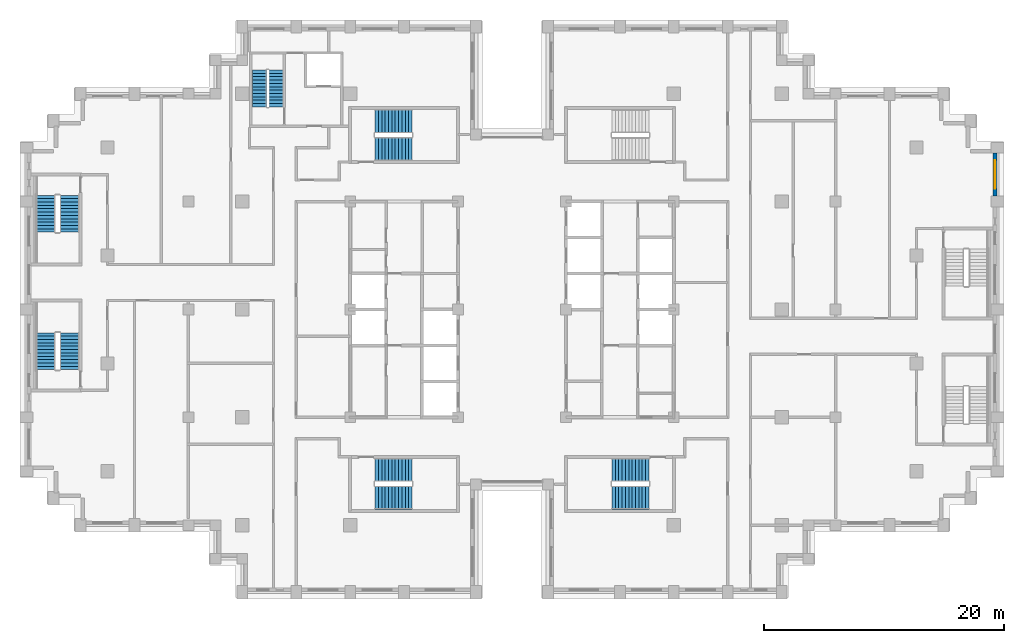
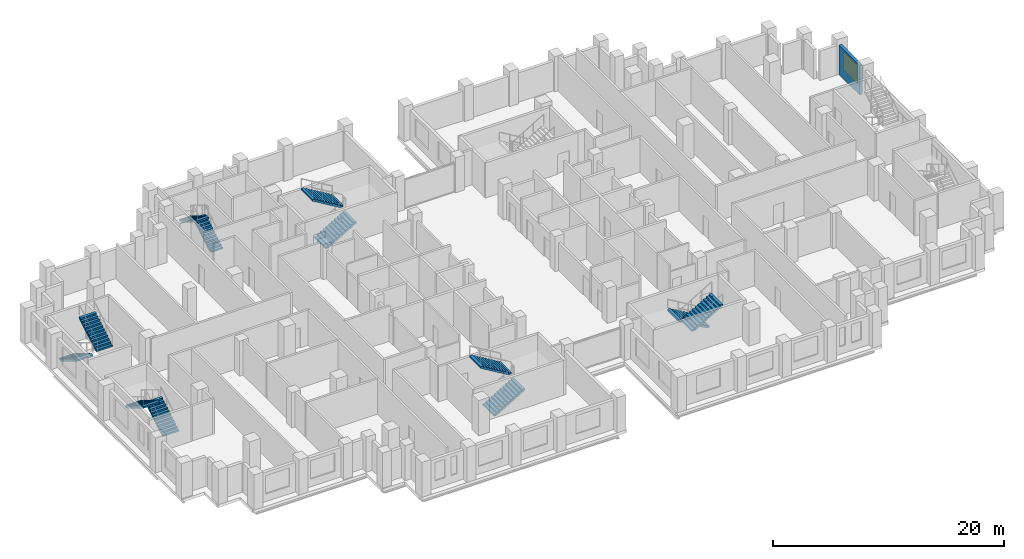
# One storey, part 13 of 16: 12 stair flights, 1 wall, 1 window, 1 opening, 6 elements without a shape of their own.
"""IFC4 building model written with IfcOpenShell, lengths in metres."""

import ifcopenshell
import ifcopenshell.guid

model = None  # the IFC model being written
_history = None  # IfcOwnerHistory: only IFC2X3 demands one
_inside = {}  # id of a spatial element -> (the spatial element, [elements in it])
_under = {}  # id of a project, library or spatial element -> (it, [spatial elements below it])
_declared = {}  # id of a project -> (the project, [libraries it declares])
_typed = {}  # id of a type object -> (the type object, [elements of that type])
_made_of = {}  # id of a material, layer set ... -> (it, [elements and type objects made of it])


def new_model(schema):
    """Start an empty IFC model of exactly this schema.

    Asked for "IFC4X3", IfcOpenShell would pick the latest addendum, in which some entities
    have other attributes; the version numbers below select the first issue.
    IFC2X3 requires an IfcOwnerHistory on every rooted entity: one is made here for all.
    """
    global model, _history
    if schema == "IFC4X3":
        model = ifcopenshell.file(schema_version=(4, 3, 0, 0))
    else:
        model = ifcopenshell.file(schema=schema)
    _inside.clear()
    _under.clear()
    _declared.clear()
    _typed.clear()
    _made_of.clear()
    _history = None
    if model.schema == "IFC2X3":
        org = make("IfcOrganization", Name="unknown")
        user = make(
            "IfcPersonAndOrganization",
            ThePerson=make("IfcPerson", FamilyName="unknown"),
            TheOrganization=org,
        )
        app = make(
            "IfcApplication",
            ApplicationDeveloper=org,
            Version="unknown",
            ApplicationFullName="unknown",
            ApplicationIdentifier="unknown",
        )
        _history = make(
            "IfcOwnerHistory",
            OwningUser=user,
            OwningApplication=app,
            ChangeAction="ADDED",
            CreationDate=0,
        )
    return model


def make(cls, **values):
    """One entity of the class cls with the attributes given. An attribute that is None is left unset."""
    return model.create_entity(
        cls, **{name: value for name, value in values.items() if value is not None}
    )


def rooted(cls, **values):
    """An entity with a GlobalId (a new one), such as an element, a storey or a relation."""
    return make(cls, GlobalId=ifcopenshell.guid.new(), OwnerHistory=_history, **values)


def si_unit(unit_type, name, prefix=None):
    """IfcSIUnit, for example si_unit("LENGTHUNIT", "METRE", prefix="MILLI")."""
    return make("IfcSIUnit", UnitType=unit_type, Prefix=prefix, Name=name)


def assignment(units):
    """IfcUnitAssignment: the units of a project."""
    return None if units is None else make("IfcUnitAssignment", Units=units)


def point(xyz):
    """IfcCartesianPoint."""
    return None if xyz is None else make("IfcCartesianPoint", Coordinates=xyz)


def direction(xyz):
    """IfcDirection."""
    return None if xyz is None else make("IfcDirection", DirectionRatios=xyz)


def frame(location, z_axis=None, x_axis=None):
    """IfcAxis2Placement3D, a coordinate frame: its origin and axes. An axis left out is left unset."""
    return make(
        "IfcAxis2Placement3D",
        Location=point(location),
        Axis=direction(z_axis),
        RefDirection=direction(x_axis),
    )


def frame_2d(location, x_axis=None):
    """IfcAxis2Placement2D, a coordinate frame in the plane: its origin and x axis."""
    return make(
        "IfcAxis2Placement2D", Location=point(location), RefDirection=direction(x_axis)
    )


def origin():
    """The frame at (0, 0, 0) with its axes left unset."""
    return frame((0.0, 0.0, 0.0))


def place(relative_to, where):
    """IfcLocalPlacement: puts the frame where relative to a parent placement (None: the world)."""
    return make(
        "IfcLocalPlacement", PlacementRelTo=relative_to, RelativePlacement=where
    )


def context(
    kind, dimensions, precision=None, world=None, true_north=None, identifier=None
):
    """IfcGeometricRepresentationContext, for example the 3D "Model" context."""
    return make(
        "IfcGeometricRepresentationContext",
        ContextIdentifier=identifier,
        ContextType=kind,
        CoordinateSpaceDimension=dimensions,
        Precision=precision,
        WorldCoordinateSystem=world,
        TrueNorth=true_north,
    )


def subcontext(parent, identifier, kind, view, scale=None):
    """IfcGeometricRepresentationSubContext, for example "Body" below "Model"."""
    return make(
        "IfcGeometricRepresentationSubContext",
        ContextIdentifier=identifier,
        ContextType=kind,
        ParentContext=parent,
        TargetScale=scale,
        TargetView=view,
    )


def project(units=None, contexts=None):
    """IfcProject with its units and contexts."""
    return rooted(
        "IfcProject",
        Name="project",
        RepresentationContexts=contexts,
        UnitsInContext=assignment(units),
    )


def spatial(cls, under=None, at=None, **own):
    """A site, building, storey or space (cls), placed at a placement, below another one or the project."""
    s = rooted(cls, ObjectPlacement=at, **own)
    if under is not None:
        _under.setdefault(under.id(), (under, []))[1].append(s)
    return s


def polyline(points):
    """IfcPolyline through the points."""
    return make("IfcPolyline", Points=[point(p) for p in points])


def profile(cls, at=None, kind="AREA", **sizes):
    """A parametric profile (cls). Its sizes go by their IFC names, for example OverallWidth=200.0."""
    return make(cls, ProfileType=kind, Position=at, **sizes)


def rectangle(**sizes):
    """IfcRectangleProfileDef."""
    return profile("IfcRectangleProfileDef", **sizes)


def outline(outer, holes=None, kind="AREA"):
    """IfcArbitraryClosedProfileDef: a profile drawn as a closed curve; with holes, ...WithVoids."""
    if holes is None:
        return make("IfcArbitraryClosedProfileDef", ProfileType=kind, OuterCurve=outer)
    return make(
        "IfcArbitraryProfileDefWithVoids",
        ProfileType=kind,
        OuterCurve=outer,
        InnerCurves=holes,
    )


def extrude(swept, where, along, depth):
    """IfcExtrudedAreaSolid: the profile swept, set in the frame where, extruded along a direction by depth."""
    return make(
        "IfcExtrudedAreaSolid",
        SweptArea=swept,
        Position=where,
        ExtrudedDirection=direction(along),
        Depth=depth,
    )


def shape(context_of_items, identifier, shape_type, items):
    """IfcShapeRepresentation: the items that make up one representation, for example the "Body"."""
    return make(
        "IfcShapeRepresentation",
        ContextOfItems=context_of_items,
        RepresentationIdentifier=identifier,
        RepresentationType=shape_type,
        Items=items,
    )


def material(Name=None, Category=None):
    """IfcMaterial."""
    return make("IfcMaterial", Name=Name, Category=Category)


def layer(
    of_material, thickness, ventilated=None, Name=None, Category=None, Priority=None
):
    """IfcMaterialLayer: one layer of a wall or slab, of a material (None: an air gap)."""
    return make(
        "IfcMaterialLayer",
        Material=of_material,
        LayerThickness=thickness,
        IsVentilated=ventilated,
        Name=Name,
        Category=Category,
        Priority=Priority,
    )


def layer_set(layers, Name=None):
    """IfcMaterialLayerSet."""
    return make("IfcMaterialLayerSet", MaterialLayers=layers, LayerSetName=Name)


def made_of(thing, what):
    """Note that an element or type object is made of a material, layer set ...; save() writes the relation."""
    if what is not None:
        _made_of.setdefault(what.id(), (what, []))[1].append(thing)
    return thing


def type_object(cls, material=None, **own):
    """A type object (cls), such as IfcWallType, which elements share."""
    return made_of(rooted(cls, **own), material)


def element(
    cls,
    number,
    at=None,
    inside=None,
    cuts=None,
    type_object=None,
    material=None,
    context=None,
    identifier="Body",
    shape_type=None,
    held_by="IfcProductDefinitionShape",
    body=None,
    shapes=None,
    **own,
):
    """One element of the class cls, such as IfcWall. Its Tag is "e" and its number.

    at: its placement. inside: the storey or other place that contains it. cuts: it is an
    opening in that element (IfcRelVoidsElement). A single representation is given by context,
    identifier, shape_type and body (its items); several are given by shapes. held_by: the class
    of the entity that holds the representations. save() writes the other relations.
    """
    e = rooted(cls, Tag="e%d" % number, ObjectPlacement=at, **own)
    if body is not None:
        shapes = [shape(context, identifier, shape_type, body)]
    if shapes is not None:
        e.Representation = make(held_by, Representations=shapes)
    if inside is not None:
        _inside.setdefault(inside.id(), (inside, []))[1].append(e)
    if cuts is not None:
        rooted(
            "IfcRelVoidsElement", RelatingBuildingElement=cuts, RelatedOpeningElement=e
        )
    if type_object is not None:
        _typed.setdefault(type_object.id(), (type_object, []))[1].append(e)
    return made_of(e, material)


def fill(opening, filler):
    """IfcRelFillsElement: the door or window that sits in an opening."""
    return rooted(
        "IfcRelFillsElement",
        RelatingOpeningElement=opening,
        RelatedBuildingElement=filler,
    )


def aggregate(whole, parts):
    """IfcRelAggregates: a whole, such as a stair, and the parts it consists of."""
    return rooted("IfcRelAggregates", RelatingObject=whole, RelatedObjects=parts)


def save(model, path):
    """Write the relations noted so far, then the file.

    IfcRelAggregates (storeys below a building ...), IfcRelContainedInSpatialStructure (elements
    in a storey), IfcRelDefinesByType, IfcRelAssociatesMaterial and IfcRelDeclares: one each for
    every whole, place, type object, material and project.
    """
    for whole, parts in _under.values():
        aggregate(whole, parts)
    for where, things in _inside.values():
        rooted(
            "IfcRelContainedInSpatialStructure",
            RelatedElements=things,
            RelatingStructure=where,
        )
    for kind, things in _typed.values():
        rooted("IfcRelDefinesByType", RelatedObjects=things, RelatingType=kind)
    for what, things in _made_of.values():
        rooted("IfcRelAssociatesMaterial", RelatedObjects=things, RelatingMaterial=what)
    for by, libraries in _declared.values():
        rooted("IfcRelDeclares", RelatingContext=by, RelatedDefinitions=libraries)
    model.write(path)


model = new_model("IFC4")

# Units and contexts
model_context = context("Model", 3, precision=1e-05, world=origin(), true_north=direction((0.0, 1.0)))
body_context = subcontext(model_context, "Body", "Model", "MODEL_VIEW")
ifc_project = project(units=[si_unit("LENGTHUNIT", "METRE"), si_unit("AREAUNIT", "SQUARE_METRE"), si_unit("VOLUMEUNIT", "CUBIC_METRE"), si_unit("PLANEANGLEUNIT", "RADIAN"), si_unit("MASSUNIT", "GRAM", prefix="KILO")], contexts=[model_context])

# Site, building, storey
site_placement = place(None, origin())
site = spatial("IfcSite", under=ifc_project, at=site_placement, CompositionType="ELEMENT")
building_placement = place(site_placement, origin())
building = spatial("IfcBuilding", under=site, at=building_placement, Name="Corbelhall Arena Tower", CompositionType="ELEMENT")
storey_placement = place(building_placement, frame((0.0, 0.0, 154.0)))
storey = spatial("IfcBuildingStorey", under=building, at=storey_placement, Name="L30", CompositionType="ELEMENT", Elevation=154.0)

# Wall, opening, window
ifc_material_1 = material(Name="Precast concrete C40/50 with granite facing", Category="masonry")
ifc_layer = layer(ifc_material_1, 0.300048828125)
ifc_layer_set = layer_set([ifc_layer], Name="EV-IW1 Infill panel 300")
wall_type = type_object("IfcWallType", Name="EV-IW1 Infill panel 300", PredefinedType="SOLIDWALL", material=ifc_layer_set)
wall_placement = place(storey_placement, frame((40.300048828125, 9.449951171875, 0.0), z_axis=(0.0, 0.0, 1.0), x_axis=(0.0, 1.0, 0.0)))
wall = element("IfcWall", 1, at=wall_placement, inside=storey, type_object=wall_type, Name="Infill panel IW1", PredefinedType="SOLIDWALL", context=body_context, shape_type="SweptSolid", body=[
    extrude(rectangle(XDim=3.60009765625, YDim=0.300048828125, at=frame_2d((1.800048828125, 0.0))), origin(), (0.0, 0.0, 1.0), 3.10009765625),
])
opening_placement = place(wall_placement, frame((0.60009765625, 0.0, 0.800048828125)))
opening = element("IfcOpeningElement", 2, at=opening_placement, cuts=wall, Name="Opening WN1", PredefinedType="OPENING", context=body_context, shape_type="SweptSolid", body=[
    extrude(rectangle(XDim=2.39990234375, YDim=1.949951171875, at=frame_2d((1.199951171875, 0.97509765625))), frame((0.0, 0.14990234375, 0.0), z_axis=(0.0, -1.0, 0.0), x_axis=(1.0, 0.0, 0.0)), (0.0, 0.0, 1.0), 0.300048828125),
])
ifc_material_2 = material(Name="Aluminium black anodised", Category="aluminium")
window_type = type_object("IfcWindowType", Name="EV-WN1 Office window", PartitioningType="SINGLE_PANEL", PredefinedType="WINDOW", material=ifc_material_2)
window_placement = place(opening_placement, origin())
window = element("IfcWindow", 3, at=window_placement, inside=storey, type_object=window_type, Name="Window WN1", OverallHeight=1.949951171875, OverallWidth=2.39990234375, PartitioningType="SINGLE_PANEL", PredefinedType="WINDOW", context=body_context, shape_type="SweptSolid", body=[
    extrude(rectangle(XDim=2.39990234375, YDim=1.949951171875, at=frame_2d((1.199951171875, 0.97509765625))), frame((0.0, 0.030029296875, 0.0), z_axis=(0.0, -1.0, 0.0), x_axis=(1.0, 0.0, 0.0)), (0.0, 0.0, 1.0), 0.06005859375),
])
fill(opening, window)

# Stair, stair flights
ifc_material_3 = material(Name="Concrete C40/50", Category="concrete")
stair_type = type_object("IfcStairType", Name="IN-ST-TOWER", PredefinedType="HALF_TURN_STAIR", material=ifc_material_3)
stair_1_placement = place(storey_placement, origin())
stair_1 = element("IfcStair", 4, at=stair_1_placement, inside=storey, type_object=stair_type, Name="L30 Exit stair ST1", PredefinedType="HALF_TURN_STAIR")
stair_flight_type = type_object("IfcStairFlightType", Name="IN-SFL-RC", PredefinedType="STRAIGHT", material=ifc_material_3)
stair_flight_1_placement = place(storey_placement, frame((-11.425048828125, 13.39990234375, 0.0), z_axis=(0.0, 0.0, 1.0), x_axis=(1.0, 0.0, 0.0)))
stair_flight_1 = element("IfcStairFlight", 5, at=stair_flight_1_placement, type_object=stair_flight_type, Name="ST1 flight 1", NumberOfRisers=12, NumberOfTreads=11, PredefinedType="STRAIGHT", RiserHeight=0.166666667, TreadLength=0.28, context=body_context, shape_type="SweptSolid", body=[
    extrude(outline(polyline([(0.0, 0.0), (0.0, 0.166748046875), (0.280029296875, 0.166748046875), (0.280029296875, 0.333251953125), (0.56005859375, 0.333251953125), (0.56005859375, 0.5), (0.840087890625, 0.5), (0.840087890625, 0.666748046875), (1.1201171875, 0.666748046875), (1.1201171875, 0.833251953125), (1.39990234375, 0.833251953125), (1.39990234375, 1.0), (1.679931640625, 1.0), (1.679931640625, 1.166748046875), (1.9599609375, 1.166748046875), (1.9599609375, 1.333251953125), (2.239990234375, 1.333251953125), (2.239990234375, 1.5), (2.52001953125, 1.5), (2.52001953125, 1.666748046875), (2.800048828125, 1.666748046875), (2.800048828125, 1.833251953125), (3.080078125, 1.833251953125), (3.080078125, 2.0), (3.080078125, 1.658935546875), (0.29296875, 0.0), (0.0, 0.0)])), frame((0.0, 0.97509765625, 0.0), z_axis=(0.0, -1.0, 0.0), x_axis=(1.0, 0.0, 0.0)), (0.0, 0.0, 1.0), 0.449951171875),
    extrude(outline(polyline([(0.0, 0.0), (0.0, 0.166748046875), (0.280029296875, 0.166748046875), (0.280029296875, 0.333251953125), (0.56005859375, 0.333251953125), (0.56005859375, 0.5), (0.840087890625, 0.5), (0.840087890625, 0.666748046875), (1.1201171875, 0.666748046875), (1.1201171875, 0.833251953125), (1.39990234375, 0.833251953125), (1.39990234375, 1.0), (1.679931640625, 1.0), (1.679931640625, 1.166748046875), (1.9599609375, 1.166748046875), (1.9599609375, 1.333251953125), (2.239990234375, 1.333251953125), (2.239990234375, 1.5), (2.52001953125, 1.5), (2.52001953125, 1.666748046875), (2.800048828125, 1.666748046875), (2.800048828125, 1.833251953125), (3.080078125, 1.833251953125), (3.080078125, 2.0), (3.080078125, 1.658935546875), (0.29296875, 0.0), (0.0, 0.0)])), frame((0.0, 0.52099609375, 0.0), z_axis=(0.0, -1.0, 0.0), x_axis=(1.0, 0.0, 0.0)), (0.0, 0.0, 1.0), 1.0419921875),
    extrude(outline(polyline([(0.0, 0.0), (0.0, 0.166748046875), (0.280029296875, 0.166748046875), (0.280029296875, 0.333251953125), (0.56005859375, 0.333251953125), (0.56005859375, 0.5), (0.840087890625, 0.5), (0.840087890625, 0.666748046875), (1.1201171875, 0.666748046875), (1.1201171875, 0.833251953125), (1.39990234375, 0.833251953125), (1.39990234375, 1.0), (1.679931640625, 1.0), (1.679931640625, 1.166748046875), (1.9599609375, 1.166748046875), (1.9599609375, 1.333251953125), (2.239990234375, 1.333251953125), (2.239990234375, 1.5), (2.52001953125, 1.5), (2.52001953125, 1.666748046875), (2.800048828125, 1.666748046875), (2.800048828125, 1.833251953125), (3.080078125, 1.833251953125), (3.080078125, 2.0), (3.080078125, 1.658935546875), (0.29296875, 0.0), (0.0, 0.0)])), frame((0.0, -0.52490234375, 0.0), z_axis=(0.0, -1.0, 0.0), x_axis=(1.0, 0.0, 0.0)), (0.0, 0.0, 1.0), 0.449951171875),
])
stair_flight_2_placement = place(storey_placement, frame((-8.344970703125, 15.699951171875, 2.0), z_axis=(0.0, 0.0, 1.0), x_axis=(-1.0, 0.0, 0.0)))
stair_flight_2 = element("IfcStairFlight", 6, at=stair_flight_2_placement, type_object=stair_flight_type, Name="ST1 flight 2", NumberOfRisers=12, NumberOfTreads=11, PredefinedType="STRAIGHT", RiserHeight=0.166666667, TreadLength=0.28, context=body_context, shape_type="SweptSolid", body=[
    extrude(outline(polyline([(0.0, 0.0), (0.0, 0.166748046875), (0.280029296875, 0.166748046875), (0.280029296875, 0.333251953125), (0.56005859375, 0.333251953125), (0.56005859375, 0.5), (0.840087890625, 0.5), (0.840087890625, 0.666748046875), (1.1201171875, 0.666748046875), (1.1201171875, 0.833251953125), (1.39990234375, 0.833251953125), (1.39990234375, 1.0), (1.679931640625, 1.0), (1.679931640625, 1.166748046875), (1.9599609375, 1.166748046875), (1.9599609375, 1.333251953125), (2.239990234375, 1.333251953125), (2.239990234375, 1.5), (2.52001953125, 1.5), (2.52001953125, 1.666748046875), (2.800048828125, 1.666748046875), (2.800048828125, 1.833251953125), (3.080078125, 1.833251953125), (3.080078125, 2.0), (3.080078125, 1.658935546875), (0.29296875, 0.0), (0.0, 0.0)])), frame((0.0, 0.97509765625, 0.0), z_axis=(0.0, -1.0, 0.0), x_axis=(1.0, 0.0, 0.0)), (0.0, 0.0, 1.0), 0.449951171875),
    extrude(outline(polyline([(0.0, 0.0), (0.0, 0.166748046875), (0.280029296875, 0.166748046875), (0.280029296875, 0.333251953125), (0.56005859375, 0.333251953125), (0.56005859375, 0.5), (0.840087890625, 0.5), (0.840087890625, 0.666748046875), (1.1201171875, 0.666748046875), (1.1201171875, 0.833251953125), (1.39990234375, 0.833251953125), (1.39990234375, 1.0), (1.679931640625, 1.0), (1.679931640625, 1.166748046875), (1.9599609375, 1.166748046875), (1.9599609375, 1.333251953125), (2.239990234375, 1.333251953125), (2.239990234375, 1.5), (2.52001953125, 1.5), (2.52001953125, 1.666748046875), (2.800048828125, 1.666748046875), (2.800048828125, 1.833251953125), (3.080078125, 1.833251953125), (3.080078125, 2.0), (3.080078125, 1.658935546875), (0.29296875, 0.0), (0.0, 0.0)])), frame((0.0, 0.52099609375, 0.0), z_axis=(0.0, -1.0, 0.0), x_axis=(1.0, 0.0, 0.0)), (0.0, 0.0, 1.0), 1.0419921875),
    extrude(outline(polyline([(0.0, 0.0), (0.0, 0.166748046875), (0.280029296875, 0.166748046875), (0.280029296875, 0.333251953125), (0.56005859375, 0.333251953125), (0.56005859375, 0.5), (0.840087890625, 0.5), (0.840087890625, 0.666748046875), (1.1201171875, 0.666748046875), (1.1201171875, 0.833251953125), (1.39990234375, 0.833251953125), (1.39990234375, 1.0), (1.679931640625, 1.0), (1.679931640625, 1.166748046875), (1.9599609375, 1.166748046875), (1.9599609375, 1.333251953125), (2.239990234375, 1.333251953125), (2.239990234375, 1.5), (2.52001953125, 1.5), (2.52001953125, 1.666748046875), (2.800048828125, 1.666748046875), (2.800048828125, 1.833251953125), (3.080078125, 1.833251953125), (3.080078125, 2.0), (3.080078125, 1.658935546875), (0.29296875, 0.0), (0.0, 0.0)])), frame((0.0, -0.52490234375, 0.0), z_axis=(0.0, -1.0, 0.0), x_axis=(1.0, 0.0, 0.0)), (0.0, 0.0, 1.0), 0.449951171875),
])
aggregate(stair_1, [stair_flight_1, stair_flight_2])

stair_2_placement = place(storey_placement, origin())
stair_2 = element("IfcStair", 7, at=stair_2_placement, inside=storey, type_object=stair_type, Name="L30 Exit stair ST2", PredefinedType="HALF_TURN_STAIR")
stair_flight_3_placement = place(storey_placement, frame((-11.425048828125, -15.699951171875, 0.0), z_axis=(0.0, 0.0, 1.0), x_axis=(1.0, 0.0, 0.0)))
stair_flight_3 = element("IfcStairFlight", 8, at=stair_flight_3_placement, type_object=stair_flight_type, Name="ST2 flight 1", NumberOfRisers=12, NumberOfTreads=11, PredefinedType="STRAIGHT", RiserHeight=0.166666667, TreadLength=0.28, context=body_context, shape_type="SweptSolid", body=[
    extrude(outline(polyline([(0.0, 0.0), (0.0, 0.166748046875), (0.280029296875, 0.166748046875), (0.280029296875, 0.333251953125), (0.56005859375, 0.333251953125), (0.56005859375, 0.5), (0.840087890625, 0.5), (0.840087890625, 0.666748046875), (1.1201171875, 0.666748046875), (1.1201171875, 0.833251953125), (1.39990234375, 0.833251953125), (1.39990234375, 1.0), (1.679931640625, 1.0), (1.679931640625, 1.166748046875), (1.9599609375, 1.166748046875), (1.9599609375, 1.333251953125), (2.239990234375, 1.333251953125), (2.239990234375, 1.5), (2.52001953125, 1.5), (2.52001953125, 1.666748046875), (2.800048828125, 1.666748046875), (2.800048828125, 1.833251953125), (3.080078125, 1.833251953125), (3.080078125, 2.0), (3.080078125, 1.658935546875), (0.29296875, 0.0), (0.0, 0.0)])), frame((0.0, 0.97509765625, 0.0), z_axis=(0.0, -1.0, 0.0), x_axis=(1.0, 0.0, 0.0)), (0.0, 0.0, 1.0), 0.449951171875),
    extrude(outline(polyline([(0.0, 0.0), (0.0, 0.166748046875), (0.280029296875, 0.166748046875), (0.280029296875, 0.333251953125), (0.56005859375, 0.333251953125), (0.56005859375, 0.5), (0.840087890625, 0.5), (0.840087890625, 0.666748046875), (1.1201171875, 0.666748046875), (1.1201171875, 0.833251953125), (1.39990234375, 0.833251953125), (1.39990234375, 1.0), (1.679931640625, 1.0), (1.679931640625, 1.166748046875), (1.9599609375, 1.166748046875), (1.9599609375, 1.333251953125), (2.239990234375, 1.333251953125), (2.239990234375, 1.5), (2.52001953125, 1.5), (2.52001953125, 1.666748046875), (2.800048828125, 1.666748046875), (2.800048828125, 1.833251953125), (3.080078125, 1.833251953125), (3.080078125, 2.0), (3.080078125, 1.658935546875), (0.29296875, 0.0), (0.0, 0.0)])), frame((0.0, 0.52099609375, 0.0), z_axis=(0.0, -1.0, 0.0), x_axis=(1.0, 0.0, 0.0)), (0.0, 0.0, 1.0), 1.0419921875),
    extrude(outline(polyline([(0.0, 0.0), (0.0, 0.166748046875), (0.280029296875, 0.166748046875), (0.280029296875, 0.333251953125), (0.56005859375, 0.333251953125), (0.56005859375, 0.5), (0.840087890625, 0.5), (0.840087890625, 0.666748046875), (1.1201171875, 0.666748046875), (1.1201171875, 0.833251953125), (1.39990234375, 0.833251953125), (1.39990234375, 1.0), (1.679931640625, 1.0), (1.679931640625, 1.166748046875), (1.9599609375, 1.166748046875), (1.9599609375, 1.333251953125), (2.239990234375, 1.333251953125), (2.239990234375, 1.5), (2.52001953125, 1.5), (2.52001953125, 1.666748046875), (2.800048828125, 1.666748046875), (2.800048828125, 1.833251953125), (3.080078125, 1.833251953125), (3.080078125, 2.0), (3.080078125, 1.658935546875), (0.29296875, 0.0), (0.0, 0.0)])), frame((0.0, -0.52490234375, 0.0), z_axis=(0.0, -1.0, 0.0), x_axis=(1.0, 0.0, 0.0)), (0.0, 0.0, 1.0), 0.449951171875),
])
stair_flight_4_placement = place(storey_placement, frame((-8.344970703125, -13.39990234375, 2.0), z_axis=(0.0, 0.0, 1.0), x_axis=(-1.0, 0.0, 0.0)))
stair_flight_4 = element("IfcStairFlight", 9, at=stair_flight_4_placement, type_object=stair_flight_type, Name="ST2 flight 2", NumberOfRisers=12, NumberOfTreads=11, PredefinedType="STRAIGHT", RiserHeight=0.166666667, TreadLength=0.28, context=body_context, shape_type="SweptSolid", body=[
    extrude(outline(polyline([(0.0, 0.0), (0.0, 0.166748046875), (0.280029296875, 0.166748046875), (0.280029296875, 0.333251953125), (0.56005859375, 0.333251953125), (0.56005859375, 0.5), (0.840087890625, 0.5), (0.840087890625, 0.666748046875), (1.1201171875, 0.666748046875), (1.1201171875, 0.833251953125), (1.39990234375, 0.833251953125), (1.39990234375, 1.0), (1.679931640625, 1.0), (1.679931640625, 1.166748046875), (1.9599609375, 1.166748046875), (1.9599609375, 1.333251953125), (2.239990234375, 1.333251953125), (2.239990234375, 1.5), (2.52001953125, 1.5), (2.52001953125, 1.666748046875), (2.800048828125, 1.666748046875), (2.800048828125, 1.833251953125), (3.080078125, 1.833251953125), (3.080078125, 2.0), (3.080078125, 1.658935546875), (0.29296875, 0.0), (0.0, 0.0)])), frame((0.0, 0.97509765625, 0.0), z_axis=(0.0, -1.0, 0.0), x_axis=(1.0, 0.0, 0.0)), (0.0, 0.0, 1.0), 0.449951171875),
    extrude(outline(polyline([(0.0, 0.0), (0.0, 0.166748046875), (0.280029296875, 0.166748046875), (0.280029296875, 0.333251953125), (0.56005859375, 0.333251953125), (0.56005859375, 0.5), (0.840087890625, 0.5), (0.840087890625, 0.666748046875), (1.1201171875, 0.666748046875), (1.1201171875, 0.833251953125), (1.39990234375, 0.833251953125), (1.39990234375, 1.0), (1.679931640625, 1.0), (1.679931640625, 1.166748046875), (1.9599609375, 1.166748046875), (1.9599609375, 1.333251953125), (2.239990234375, 1.333251953125), (2.239990234375, 1.5), (2.52001953125, 1.5), (2.52001953125, 1.666748046875), (2.800048828125, 1.666748046875), (2.800048828125, 1.833251953125), (3.080078125, 1.833251953125), (3.080078125, 2.0), (3.080078125, 1.658935546875), (0.29296875, 0.0), (0.0, 0.0)])), frame((0.0, 0.52099609375, 0.0), z_axis=(0.0, -1.0, 0.0), x_axis=(1.0, 0.0, 0.0)), (0.0, 0.0, 1.0), 1.0419921875),
    extrude(outline(polyline([(0.0, 0.0), (0.0, 0.166748046875), (0.280029296875, 0.166748046875), (0.280029296875, 0.333251953125), (0.56005859375, 0.333251953125), (0.56005859375, 0.5), (0.840087890625, 0.5), (0.840087890625, 0.666748046875), (1.1201171875, 0.666748046875), (1.1201171875, 0.833251953125), (1.39990234375, 0.833251953125), (1.39990234375, 1.0), (1.679931640625, 1.0), (1.679931640625, 1.166748046875), (1.9599609375, 1.166748046875), (1.9599609375, 1.333251953125), (2.239990234375, 1.333251953125), (2.239990234375, 1.5), (2.52001953125, 1.5), (2.52001953125, 1.666748046875), (2.800048828125, 1.666748046875), (2.800048828125, 1.833251953125), (3.080078125, 1.833251953125), (3.080078125, 2.0), (3.080078125, 1.658935546875), (0.29296875, 0.0), (0.0, 0.0)])), frame((0.0, -0.52490234375, 0.0), z_axis=(0.0, -1.0, 0.0), x_axis=(1.0, 0.0, 0.0)), (0.0, 0.0, 1.0), 0.449951171875),
])
aggregate(stair_2, [stair_flight_3, stair_flight_4])

stair_3_placement = place(storey_placement, origin())
stair_3 = element("IfcStair", 10, at=stair_3_placement, inside=storey, type_object=stair_type, Name="L30 Exit stair ST4", PredefinedType="HALF_TURN_STAIR")
stair_flight_5_placement = place(storey_placement, frame((11.425048828125, -13.39990234375, 0.0), z_axis=(0.0, 0.0, 1.0), x_axis=(-1.0, 0.0, 0.0)))
stair_flight_5 = element("IfcStairFlight", 11, at=stair_flight_5_placement, type_object=stair_flight_type, Name="ST4 flight 1", NumberOfRisers=12, NumberOfTreads=11, PredefinedType="STRAIGHT", RiserHeight=0.166666667, TreadLength=0.28, context=body_context, shape_type="SweptSolid", body=[
    extrude(outline(polyline([(0.0, 0.0), (0.0, 0.166748046875), (0.280029296875, 0.166748046875), (0.280029296875, 0.333251953125), (0.56005859375, 0.333251953125), (0.56005859375, 0.5), (0.840087890625, 0.5), (0.840087890625, 0.666748046875), (1.1201171875, 0.666748046875), (1.1201171875, 0.833251953125), (1.39990234375, 0.833251953125), (1.39990234375, 1.0), (1.679931640625, 1.0), (1.679931640625, 1.166748046875), (1.9599609375, 1.166748046875), (1.9599609375, 1.333251953125), (2.239990234375, 1.333251953125), (2.239990234375, 1.5), (2.52001953125, 1.5), (2.52001953125, 1.666748046875), (2.800048828125, 1.666748046875), (2.800048828125, 1.833251953125), (3.080078125, 1.833251953125), (3.080078125, 2.0), (3.080078125, 1.658935546875), (0.29296875, 0.0), (0.0, 0.0)])), frame((0.0, 0.97509765625, 0.0), z_axis=(0.0, -1.0, 0.0), x_axis=(1.0, 0.0, 0.0)), (0.0, 0.0, 1.0), 0.449951171875),
    extrude(outline(polyline([(0.0, 0.0), (0.0, 0.166748046875), (0.280029296875, 0.166748046875), (0.280029296875, 0.333251953125), (0.56005859375, 0.333251953125), (0.56005859375, 0.5), (0.840087890625, 0.5), (0.840087890625, 0.666748046875), (1.1201171875, 0.666748046875), (1.1201171875, 0.833251953125), (1.39990234375, 0.833251953125), (1.39990234375, 1.0), (1.679931640625, 1.0), (1.679931640625, 1.166748046875), (1.9599609375, 1.166748046875), (1.9599609375, 1.333251953125), (2.239990234375, 1.333251953125), (2.239990234375, 1.5), (2.52001953125, 1.5), (2.52001953125, 1.666748046875), (2.800048828125, 1.666748046875), (2.800048828125, 1.833251953125), (3.080078125, 1.833251953125), (3.080078125, 2.0), (3.080078125, 1.658935546875), (0.29296875, 0.0), (0.0, 0.0)])), frame((0.0, 0.52099609375, 0.0), z_axis=(0.0, -1.0, 0.0), x_axis=(1.0, 0.0, 0.0)), (0.0, 0.0, 1.0), 1.0419921875),
    extrude(outline(polyline([(0.0, 0.0), (0.0, 0.166748046875), (0.280029296875, 0.166748046875), (0.280029296875, 0.333251953125), (0.56005859375, 0.333251953125), (0.56005859375, 0.5), (0.840087890625, 0.5), (0.840087890625, 0.666748046875), (1.1201171875, 0.666748046875), (1.1201171875, 0.833251953125), (1.39990234375, 0.833251953125), (1.39990234375, 1.0), (1.679931640625, 1.0), (1.679931640625, 1.166748046875), (1.9599609375, 1.166748046875), (1.9599609375, 1.333251953125), (2.239990234375, 1.333251953125), (2.239990234375, 1.5), (2.52001953125, 1.5), (2.52001953125, 1.666748046875), (2.800048828125, 1.666748046875), (2.800048828125, 1.833251953125), (3.080078125, 1.833251953125), (3.080078125, 2.0), (3.080078125, 1.658935546875), (0.29296875, 0.0), (0.0, 0.0)])), frame((0.0, -0.52490234375, 0.0), z_axis=(0.0, -1.0, 0.0), x_axis=(1.0, 0.0, 0.0)), (0.0, 0.0, 1.0), 0.449951171875),
])
stair_flight_6_placement = place(storey_placement, frame((8.344970703125, -15.699951171875, 2.0), z_axis=(0.0, 0.0, 1.0), x_axis=(1.0, 0.0, 0.0)))
stair_flight_6 = element("IfcStairFlight", 12, at=stair_flight_6_placement, type_object=stair_flight_type, Name="ST4 flight 2", NumberOfRisers=12, NumberOfTreads=11, PredefinedType="STRAIGHT", RiserHeight=0.166666667, TreadLength=0.28, context=body_context, shape_type="SweptSolid", body=[
    extrude(outline(polyline([(0.0, 0.0), (0.0, 0.166748046875), (0.280029296875, 0.166748046875), (0.280029296875, 0.333251953125), (0.56005859375, 0.333251953125), (0.56005859375, 0.5), (0.840087890625, 0.5), (0.840087890625, 0.666748046875), (1.1201171875, 0.666748046875), (1.1201171875, 0.833251953125), (1.39990234375, 0.833251953125), (1.39990234375, 1.0), (1.679931640625, 1.0), (1.679931640625, 1.166748046875), (1.9599609375, 1.166748046875), (1.9599609375, 1.333251953125), (2.239990234375, 1.333251953125), (2.239990234375, 1.5), (2.52001953125, 1.5), (2.52001953125, 1.666748046875), (2.800048828125, 1.666748046875), (2.800048828125, 1.833251953125), (3.080078125, 1.833251953125), (3.080078125, 2.0), (3.080078125, 1.658935546875), (0.29296875, 0.0), (0.0, 0.0)])), frame((0.0, 0.97509765625, 0.0), z_axis=(0.0, -1.0, 0.0), x_axis=(1.0, 0.0, 0.0)), (0.0, 0.0, 1.0), 0.449951171875),
    extrude(outline(polyline([(0.0, 0.0), (0.0, 0.166748046875), (0.280029296875, 0.166748046875), (0.280029296875, 0.333251953125), (0.56005859375, 0.333251953125), (0.56005859375, 0.5), (0.840087890625, 0.5), (0.840087890625, 0.666748046875), (1.1201171875, 0.666748046875), (1.1201171875, 0.833251953125), (1.39990234375, 0.833251953125), (1.39990234375, 1.0), (1.679931640625, 1.0), (1.679931640625, 1.166748046875), (1.9599609375, 1.166748046875), (1.9599609375, 1.333251953125), (2.239990234375, 1.333251953125), (2.239990234375, 1.5), (2.52001953125, 1.5), (2.52001953125, 1.666748046875), (2.800048828125, 1.666748046875), (2.800048828125, 1.833251953125), (3.080078125, 1.833251953125), (3.080078125, 2.0), (3.080078125, 1.658935546875), (0.29296875, 0.0), (0.0, 0.0)])), frame((0.0, 0.52099609375, 0.0), z_axis=(0.0, -1.0, 0.0), x_axis=(1.0, 0.0, 0.0)), (0.0, 0.0, 1.0), 1.0419921875),
    extrude(outline(polyline([(0.0, 0.0), (0.0, 0.166748046875), (0.280029296875, 0.166748046875), (0.280029296875, 0.333251953125), (0.56005859375, 0.333251953125), (0.56005859375, 0.5), (0.840087890625, 0.5), (0.840087890625, 0.666748046875), (1.1201171875, 0.666748046875), (1.1201171875, 0.833251953125), (1.39990234375, 0.833251953125), (1.39990234375, 1.0), (1.679931640625, 1.0), (1.679931640625, 1.166748046875), (1.9599609375, 1.166748046875), (1.9599609375, 1.333251953125), (2.239990234375, 1.333251953125), (2.239990234375, 1.5), (2.52001953125, 1.5), (2.52001953125, 1.666748046875), (2.800048828125, 1.666748046875), (2.800048828125, 1.833251953125), (3.080078125, 1.833251953125), (3.080078125, 2.0), (3.080078125, 1.658935546875), (0.29296875, 0.0), (0.0, 0.0)])), frame((0.0, -0.52490234375, 0.0), z_axis=(0.0, -1.0, 0.0), x_axis=(1.0, 0.0, 0.0)), (0.0, 0.0, 1.0), 0.449951171875),
])
aggregate(stair_3, [stair_flight_5, stair_flight_6])

stair_4_placement = place(storey_placement, origin())
stair_4 = element("IfcStair", 13, at=stair_4_placement, inside=storey, type_object=stair_type, Name="L30 Exit stair SC1", PredefinedType="HALF_TURN_STAIR")
stair_flight_7_placement = place(storey_placement, frame((-38.89990234375, 9.52490234375, 0.0), z_axis=(0.0, 0.0, 1.0), x_axis=(0.0, -1.0, 0.0)))
stair_flight_7 = element("IfcStairFlight", 14, at=stair_flight_7_placement, type_object=stair_flight_type, Name="SC1 flight 1", NumberOfRisers=12, NumberOfTreads=11, PredefinedType="STRAIGHT", RiserHeight=0.166666667, TreadLength=0.28, context=body_context, shape_type="SweptSolid", body=[
    extrude(outline(polyline([(0.0, 0.0), (0.0, 0.166748046875), (0.280029296875, 0.166748046875), (0.280029296875, 0.333251953125), (0.56005859375, 0.333251953125), (0.56005859375, 0.5), (0.840087890625, 0.5), (0.840087890625, 0.666748046875), (1.1201171875, 0.666748046875), (1.1201171875, 0.833251953125), (1.39990234375, 0.833251953125), (1.39990234375, 1.0), (1.679931640625, 1.0), (1.679931640625, 1.166748046875), (1.9599609375, 1.166748046875), (1.9599609375, 1.333251953125), (2.239990234375, 1.333251953125), (2.239990234375, 1.5), (2.52001953125, 1.5), (2.52001953125, 1.666748046875), (2.800048828125, 1.666748046875), (2.800048828125, 1.833251953125), (3.080078125, 1.833251953125), (3.080078125, 2.0), (3.080078125, 1.658935546875), (0.29296875, 0.0), (0.0, 0.0)])), frame((0.0, 0.800048828125, 0.0), z_axis=(0.0, -1.0, 0.0), x_axis=(1.0, 0.0, 0.0)), (0.0, 0.0, 1.0), 1.60009765625),
])
stair_flight_8_placement = place(storey_placement, frame((-36.925048828125, 6.445068359375, 2.0), z_axis=(0.0, 0.0, 1.0), x_axis=(0.0, 1.0, 0.0)))
stair_flight_8 = element("IfcStairFlight", 15, at=stair_flight_8_placement, type_object=stair_flight_type, Name="SC1 flight 2", NumberOfRisers=12, NumberOfTreads=11, PredefinedType="STRAIGHT", RiserHeight=0.166666667, TreadLength=0.28, context=body_context, shape_type="SweptSolid", body=[
    extrude(outline(polyline([(0.0, 0.0), (0.0, 0.166748046875), (0.280029296875, 0.166748046875), (0.280029296875, 0.333251953125), (0.56005859375, 0.333251953125), (0.56005859375, 0.5), (0.840087890625, 0.5), (0.840087890625, 0.666748046875), (1.1201171875, 0.666748046875), (1.1201171875, 0.833251953125), (1.39990234375, 0.833251953125), (1.39990234375, 1.0), (1.679931640625, 1.0), (1.679931640625, 1.166748046875), (1.9599609375, 1.166748046875), (1.9599609375, 1.333251953125), (2.239990234375, 1.333251953125), (2.239990234375, 1.5), (2.52001953125, 1.5), (2.52001953125, 1.666748046875), (2.800048828125, 1.666748046875), (2.800048828125, 1.833251953125), (3.080078125, 1.833251953125), (3.080078125, 2.0), (3.080078125, 1.658935546875), (0.29296875, 0.0), (0.0, 0.0)])), frame((0.0, 0.800048828125, 0.0), z_axis=(0.0, -1.0, 0.0), x_axis=(1.0, 0.0, 0.0)), (0.0, 0.0, 1.0), 1.60009765625),
])
aggregate(stair_4, [stair_flight_7, stair_flight_8])

stair_5_placement = place(storey_placement, origin())
stair_5 = element("IfcStair", 16, at=stair_5_placement, inside=storey, type_object=stair_type, Name="L30 Exit stair SC2", PredefinedType="HALF_TURN_STAIR")
stair_flight_9_placement = place(storey_placement, frame((-36.925048828125, -5.02490234375, 0.0), z_axis=(0.0, 0.0, 1.0), x_axis=(0.0, 1.0, 0.0)))
stair_flight_9 = element("IfcStairFlight", 17, at=stair_flight_9_placement, type_object=stair_flight_type, Name="SC2 flight 1", NumberOfRisers=12, NumberOfTreads=11, PredefinedType="STRAIGHT", RiserHeight=0.166666667, TreadLength=0.28, context=body_context, shape_type="SweptSolid", body=[
    extrude(outline(polyline([(0.0, 0.0), (0.0, 0.166748046875), (0.280029296875, 0.166748046875), (0.280029296875, 0.333251953125), (0.56005859375, 0.333251953125), (0.56005859375, 0.5), (0.840087890625, 0.5), (0.840087890625, 0.666748046875), (1.1201171875, 0.666748046875), (1.1201171875, 0.833251953125), (1.39990234375, 0.833251953125), (1.39990234375, 1.0), (1.679931640625, 1.0), (1.679931640625, 1.166748046875), (1.9599609375, 1.166748046875), (1.9599609375, 1.333251953125), (2.239990234375, 1.333251953125), (2.239990234375, 1.5), (2.52001953125, 1.5), (2.52001953125, 1.666748046875), (2.800048828125, 1.666748046875), (2.800048828125, 1.833251953125), (3.080078125, 1.833251953125), (3.080078125, 2.0), (3.080078125, 1.658935546875), (0.29296875, 0.0), (0.0, 0.0)])), frame((0.0, 0.800048828125, 0.0), z_axis=(0.0, -1.0, 0.0), x_axis=(1.0, 0.0, 0.0)), (0.0, 0.0, 1.0), 1.60009765625),
])
stair_flight_10_placement = place(storey_placement, frame((-38.89990234375, -1.945068359375, 2.0), z_axis=(0.0, 0.0, 1.0), x_axis=(0.0, -1.0, 0.0)))
stair_flight_10 = element("IfcStairFlight", 18, at=stair_flight_10_placement, type_object=stair_flight_type, Name="SC2 flight 2", NumberOfRisers=12, NumberOfTreads=11, PredefinedType="STRAIGHT", RiserHeight=0.166666667, TreadLength=0.28, context=body_context, shape_type="SweptSolid", body=[
    extrude(outline(polyline([(0.0, 0.0), (0.0, 0.166748046875), (0.280029296875, 0.166748046875), (0.280029296875, 0.333251953125), (0.56005859375, 0.333251953125), (0.56005859375, 0.5), (0.840087890625, 0.5), (0.840087890625, 0.666748046875), (1.1201171875, 0.666748046875), (1.1201171875, 0.833251953125), (1.39990234375, 0.833251953125), (1.39990234375, 1.0), (1.679931640625, 1.0), (1.679931640625, 1.166748046875), (1.9599609375, 1.166748046875), (1.9599609375, 1.333251953125), (2.239990234375, 1.333251953125), (2.239990234375, 1.5), (2.52001953125, 1.5), (2.52001953125, 1.666748046875), (2.800048828125, 1.666748046875), (2.800048828125, 1.833251953125), (3.080078125, 1.833251953125), (3.080078125, 2.0), (3.080078125, 1.658935546875), (0.29296875, 0.0), (0.0, 0.0)])), frame((0.0, 0.800048828125, 0.0), z_axis=(0.0, -1.0, 0.0), x_axis=(1.0, 0.0, 0.0)), (0.0, 0.0, 1.0), 1.60009765625),
])
aggregate(stair_5, [stair_flight_9, stair_flight_10])

stair_6_placement = place(storey_placement, origin())
stair_6 = element("IfcStair", 19, at=stair_6_placement, inside=storey, type_object=stair_type, Name="L30 Exit stair ST5", PredefinedType="HALF_TURN_STAIR")
stair_flight_11_placement = place(storey_placement, frame((-19.695068359375, 16.89990234375, 0.0), z_axis=(0.0, 0.0, 1.0), x_axis=(0.0, 1.0, 0.0)))
stair_flight_11 = element("IfcStairFlight", 20, at=stair_flight_11_placement, type_object=stair_flight_type, Name="ST5 flight 1", NumberOfRisers=12, NumberOfTreads=11, PredefinedType="STRAIGHT", RiserHeight=0.166666667, TreadLength=0.28, context=body_context, shape_type="SweptSolid", body=[
    extrude(outline(polyline([(0.0, 0.0), (0.0, 0.166748046875), (0.280029296875, 0.166748046875), (0.280029296875, 0.333251953125), (0.56005859375, 0.333251953125), (0.56005859375, 0.5), (0.840087890625, 0.5), (0.840087890625, 0.666748046875), (1.1201171875, 0.666748046875), (1.1201171875, 0.833251953125), (1.39990234375, 0.833251953125), (1.39990234375, 1.0), (1.679931640625, 1.0), (1.679931640625, 1.166748046875), (1.9599609375, 1.166748046875), (1.9599609375, 1.333251953125), (2.239990234375, 1.333251953125), (2.239990234375, 1.5), (2.52001953125, 1.5), (2.52001953125, 1.666748046875), (2.800048828125, 1.666748046875), (2.800048828125, 1.833251953125), (3.080078125, 1.833251953125), (3.080078125, 2.0), (3.080078125, 1.658935546875), (0.29296875, 0.0), (0.0, 0.0)])), frame((0.0, 0.60009765625, 0.0), z_axis=(0.0, -1.0, 0.0), x_axis=(1.0, 0.0, 0.0)), (0.0, 0.0, 1.0), 1.199951171875),
])
stair_flight_12_placement = place(storey_placement, frame((-21.094970703125, 19.97998046875, 2.0), z_axis=(0.0, 0.0, 1.0), x_axis=(0.0, -1.0, 0.0)))
stair_flight_12 = element("IfcStairFlight", 21, at=stair_flight_12_placement, type_object=stair_flight_type, Name="ST5 flight 2", NumberOfRisers=12, NumberOfTreads=11, PredefinedType="STRAIGHT", RiserHeight=0.166666667, TreadLength=0.28, context=body_context, shape_type="SweptSolid", body=[
    extrude(outline(polyline([(0.0, 0.0), (0.0, 0.166748046875), (0.280029296875, 0.166748046875), (0.280029296875, 0.333251953125), (0.56005859375, 0.333251953125), (0.56005859375, 0.5), (0.840087890625, 0.5), (0.840087890625, 0.666748046875), (1.1201171875, 0.666748046875), (1.1201171875, 0.833251953125), (1.39990234375, 0.833251953125), (1.39990234375, 1.0), (1.679931640625, 1.0), (1.679931640625, 1.166748046875), (1.9599609375, 1.166748046875), (1.9599609375, 1.333251953125), (2.239990234375, 1.333251953125), (2.239990234375, 1.5), (2.52001953125, 1.5), (2.52001953125, 1.666748046875), (2.800048828125, 1.666748046875), (2.800048828125, 1.833251953125), (3.080078125, 1.833251953125), (3.080078125, 2.0), (3.080078125, 1.658935546875), (0.29296875, 0.0), (0.0, 0.0)])), frame((0.0, 0.60009765625, 0.0), z_axis=(0.0, -1.0, 0.0), x_axis=(1.0, 0.0, 0.0)), (0.0, 0.0, 1.0), 1.199951171875),
])
aggregate(stair_6, [stair_flight_11, stair_flight_12])

save(model, "model.ifc")
